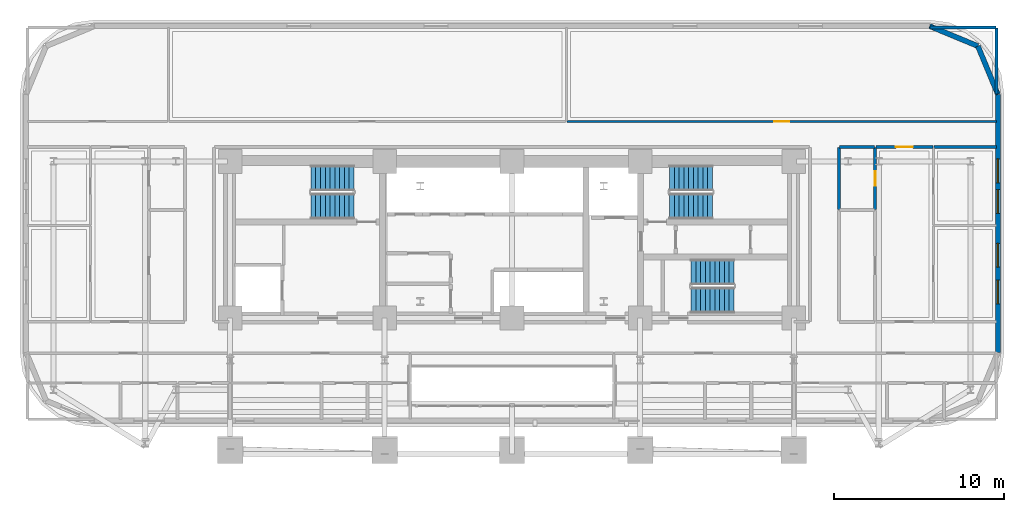
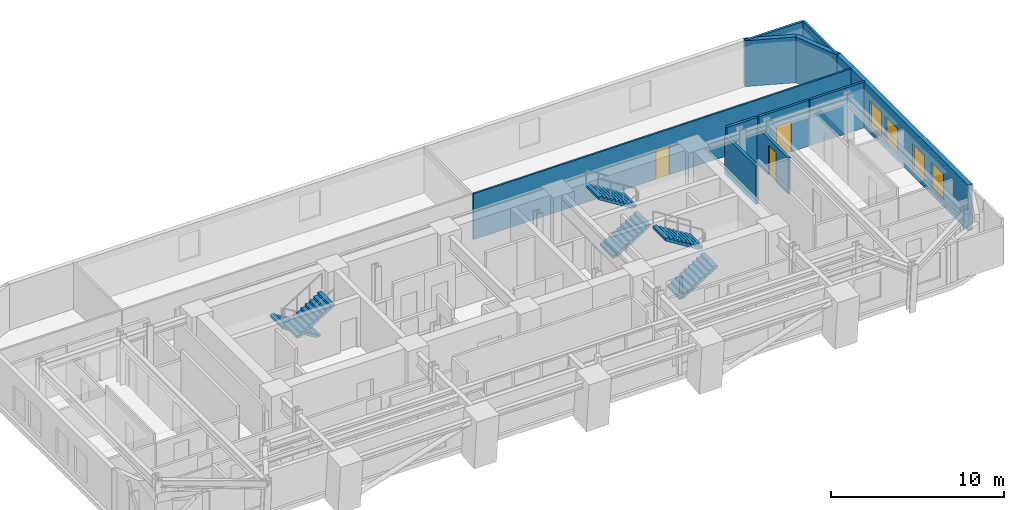
# One storey, part 11 of 15: 11 walls, 6 stair flights, 4 windows, 3 doors, 7 openings, 3 elements without a shape of their own.
"""IFC4 building model written with IfcOpenShell, lengths in metres."""

from ifc_helpers import new_model, si_unit, direction, frame, frame_2d, origin, place, context, subcontext, project, spatial, polyline, rectangle, outline, extrude, material, layer, layer_set, type_object, element, fill, aggregate, save


model = new_model("IFC4")

# Units and contexts
model_context = context("Model", 3, precision=1e-05, world=origin(), true_north=direction((0.0, 1.0)))
body_context = subcontext(model_context, "Body", "Model", "MODEL_VIEW")
ifc_project = project(units=[si_unit("LENGTHUNIT", "METRE"), si_unit("AREAUNIT", "SQUARE_METRE"), si_unit("VOLUMEUNIT", "CUBIC_METRE"), si_unit("PLANEANGLEUNIT", "RADIAN"), si_unit("MASSUNIT", "GRAM", prefix="KILO")], contexts=[model_context])

# Site, building, storey
site_placement = place(None, origin())
site = spatial("IfcSite", under=ifc_project, at=site_placement, CompositionType="ELEMENT")
building_placement = place(site_placement, origin())
building = spatial("IfcBuilding", under=site, at=building_placement, Name="Zarnavel Station Tower", CompositionType="ELEMENT")
storey_placement = place(building_placement, frame((0.0, 0.0, 67.5)))
storey = spatial("IfcBuildingStorey", under=building, at=storey_placement, Name="L18", CompositionType="ELEMENT", Elevation=67.5)

# Wall, openings, windows
ifc_material_1 = material(Name="Precast concrete C45/55 (Dark Basalt Finish)", Category="masonry")
ifc_layer_1 = layer(ifc_material_1, 0.300048828125)
ifc_layer_set_1 = layer_set([ifc_layer_1], Name="EW_BASALT_300")
wall_type_1 = type_object("IfcWallType", Name="EW_BASALT_300", PredefinedType="SOLIDWALL", material=ifc_layer_set_1)
wall_1_placement = place(storey_placement, frame((57.419921875, 41.0, 0.0), z_axis=(0.0, 0.0, 1.0), x_axis=(0.0, -1.0, 0.0)))
wall_1 = element("IfcWall", 1, at=wall_1_placement, inside=storey, type_object=wall_type_1, Name="L18 Exterior Basalt Masonry Frame Wall 03", PredefinedType="SOLIDWALL", context=body_context, shape_type="SweptSolid", body=[
    extrude(rectangle(XDim=15.199951171875, YDim=0.300048828125, at=frame_2d((7.60009765625, 0.0))), origin(), (0.0, 0.0, 1.0), 3.239990234375),
])
opening_1_placement = place(wall_1_placement, frame((8.78076171875, 0.0, 0.47998046875)))
opening_1 = element("IfcOpeningElement", 2, at=opening_1_placement, cuts=wall_1, Name="Opening WN01", PredefinedType="OPENING", context=body_context, shape_type="SweptSolid", body=[
    extrude(rectangle(XDim=1.39990234375, YDim=1.800048828125, at=frame_2d((0.699951171875, 0.89990234375))), frame((0.0, 0.159912109375, 0.0), z_axis=(0.0, -1.0, 0.0), x_axis=(1.0, 0.0, 0.0)), (0.0, 0.0, 1.0), 0.320068359375),
])
opening_2_placement = place(wall_1_placement, frame((10.940185546875, 0.0, 0.47998046875)))
opening_2 = element("IfcOpeningElement", 3, at=opening_2_placement, cuts=wall_1, Name="Opening WN01", PredefinedType="OPENING", context=body_context, shape_type="SweptSolid", body=[
    extrude(rectangle(XDim=1.39990234375, YDim=1.800048828125, at=frame_2d((0.699951171875, 0.89990234375))), frame((0.0, 0.159912109375, 0.0), z_axis=(0.0, -1.0, 0.0), x_axis=(1.0, 0.0, 0.0)), (0.0, 0.0, 1.0), 0.320068359375),
])
opening_3_placement = place(wall_1_placement, frame((3.806884765625, 0.0, 0.47998046875)))
opening_3 = element("IfcOpeningElement", 4, at=opening_3_placement, cuts=wall_1, Name="Opening WN01", PredefinedType="OPENING", context=body_context, shape_type="SweptSolid", body=[
    extrude(rectangle(XDim=1.39990234375, YDim=1.800048828125, at=frame_2d((0.699951171875, 0.89990234375))), frame((0.0, 0.159912109375, 0.0), z_axis=(0.0, -1.0, 0.0), x_axis=(1.0, 0.0, 0.0)), (0.0, 0.0, 1.0), 0.320068359375),
])
opening_4_placement = place(wall_1_placement, frame((5.614013671875, 0.0, 0.47998046875)))
opening_4 = element("IfcOpeningElement", 5, at=opening_4_placement, cuts=wall_1, Name="Opening WN01", PredefinedType="OPENING", context=body_context, shape_type="SweptSolid", body=[
    extrude(rectangle(XDim=1.39990234375, YDim=1.800048828125, at=frame_2d((0.699951171875, 0.89990234375))), frame((0.0, 0.159912109375, 0.0), z_axis=(0.0, -1.0, 0.0), x_axis=(1.0, 0.0, 0.0)), (0.0, 0.0, 1.0), 0.320068359375),
])
ifc_material_2 = material(Name="Thermally Broken Black Aluminium and Low-E Dark Glass", Category="aluminium")
window_type = type_object("IfcWindowType", Name="WN_1400x1800", PartitioningType="DOUBLE_PANEL_VERTICAL", PredefinedType="WINDOW", material=ifc_material_2)
window_1_placement = place(opening_1_placement, origin())
window_1 = element("IfcWindow", 6, at=window_1_placement, inside=storey, type_object=window_type, Name="L18 Recessed Facade Window 01", OverallHeight=1.800048828125, OverallWidth=1.39990234375, PartitioningType="SINGLE_PANEL", PredefinedType="WINDOW", context=body_context, shape_type="SweptSolid", body=[
    extrude(rectangle(XDim=1.39990234375, YDim=1.800048828125, at=frame_2d((0.699951171875, 0.89990234375))), frame((0.0, 0.030029296875, 0.0), z_axis=(0.0, -1.0, 0.0), x_axis=(1.0, 0.0, 0.0)), (0.0, 0.0, 1.0), 0.06005859375),
])
fill(opening_1, window_1)
window_2_placement = place(opening_2_placement, origin())
window_2 = element("IfcWindow", 7, at=window_2_placement, inside=storey, type_object=window_type, Name="L18 Recessed Facade Window 02", OverallHeight=1.800048828125, OverallWidth=1.39990234375, PartitioningType="SINGLE_PANEL", PredefinedType="WINDOW", context=body_context, shape_type="SweptSolid", body=[
    extrude(rectangle(XDim=1.39990234375, YDim=1.800048828125, at=frame_2d((0.699951171875, 0.89990234375))), frame((0.0, 0.030029296875, 0.0), z_axis=(0.0, -1.0, 0.0), x_axis=(1.0, 0.0, 0.0)), (0.0, 0.0, 1.0), 0.06005859375),
])
fill(opening_2, window_2)
window_3_placement = place(opening_3_placement, origin())
window_3 = element("IfcWindow", 8, at=window_3_placement, inside=storey, type_object=window_type, Name="L18 Recessed Facade Window 03", OverallHeight=1.800048828125, OverallWidth=1.39990234375, PartitioningType="SINGLE_PANEL", PredefinedType="WINDOW", context=body_context, shape_type="SweptSolid", body=[
    extrude(rectangle(XDim=1.39990234375, YDim=1.800048828125, at=frame_2d((0.699951171875, 0.89990234375))), frame((0.0, 0.030029296875, 0.0), z_axis=(0.0, -1.0, 0.0), x_axis=(1.0, 0.0, 0.0)), (0.0, 0.0, 1.0), 0.06005859375),
])
fill(opening_3, window_3)
window_4_placement = place(opening_4_placement, origin())
window_4 = element("IfcWindow", 9, at=window_4_placement, inside=storey, type_object=window_type, Name="L18 Recessed Facade Window 04", OverallHeight=1.800048828125, OverallWidth=1.39990234375, PartitioningType="SINGLE_PANEL", PredefinedType="WINDOW", context=body_context, shape_type="SweptSolid", body=[
    extrude(rectangle(XDim=1.39990234375, YDim=1.800048828125, at=frame_2d((0.699951171875, 0.89990234375))), frame((0.0, 0.030029296875, 0.0), z_axis=(0.0, -1.0, 0.0), x_axis=(1.0, 0.0, 0.0)), (0.0, 0.0, 1.0), 0.06005859375),
])
fill(opening_4, window_4)

# Walls
wall_2_placement = place(storey_placement, frame((56.24267578125, 43.842529296875, 0.0), z_axis=(0.0, 0.0, 1.0), x_axis=(0.382636798336, -0.92389884758, 0.0)))
element("IfcWall", 10, at=wall_2_placement, inside=storey, type_object=wall_type_1, Name="L18 Exterior Basalt Masonry Frame Wall 04", PredefinedType="SOLIDWALL", context=body_context, shape_type="SweptSolid", body=[
    extrude(rectangle(XDim=3.07666015625, YDim=0.300048828125, at=frame_2d((1.538330078125, 0.0))), origin(), (0.0, 0.0, 1.0), 3.239990234375),
])
wall_3_placement = place(storey_placement, frame((53.39990234375, 45.02001953125, 0.0), z_axis=(0.0, 0.0, 1.0), x_axis=(0.923882414032, -0.382676475685, 0.0)))
element("IfcWall", 11, at=wall_3_placement, inside=storey, type_object=wall_type_1, Name="L18 Exterior Basalt Masonry Frame Wall 05", PredefinedType="SOLIDWALL", context=body_context, shape_type="SweptSolid", body=[
    extrude(rectangle(XDim=3.076904296875, YDim=0.300048828125, at=frame_2d((1.53857421875, 0.0))), origin(), (0.0, 0.0, 1.0), 3.239990234375),
])

# Wall, opening, door
ifc_material_3 = material(Name="Gypsum Twin-Stud Acoustic Fire Partition", Category="concrete")
ifc_layer_2 = layer(ifc_material_3, 0.159912109375)
ifc_layer_set_2 = layer_set([ifc_layer_2], Name="PT_DEMISE_160")
wall_type_2 = type_object("IfcWallType", Name="PT_DEMISE_160", PredefinedType="PARTITIONING", material=ifc_layer_set_2)
wall_4_placement = place(storey_placement, frame((50.22705078125, 37.89990234375, 0.0), z_axis=(0.0, 0.0, 1.0), x_axis=(1.0, 0.0, 0.0)))
wall_4 = element("IfcWall", 12, at=wall_4_placement, inside=storey, type_object=wall_type_2, Name="L18 Partition COR-N-FNELV", PredefinedType="PARTITIONING", context=body_context, shape_type="SweptSolid", body=[
    extrude(rectangle(XDim=3.35693359375, YDim=0.159912109375, at=frame_2d((1.678466796875, 0.0))), origin(), (0.0, 0.0, 1.0), 3.239990234375),
])
opening_5_placement = place(wall_4_placement, frame((1.178466796875, 0.0, 0.0)))
opening_5 = element("IfcOpeningElement", 13, at=opening_5_placement, cuts=wall_4, Name="Opening FD02", PredefinedType="OPENING", context=body_context, shape_type="SweptSolid", body=[
    extrude(rectangle(XDim=1.0, YDim=2.14990234375, at=frame_2d((0.5, 1.074951171875))), frame((0.0, 0.08984375, 0.0), z_axis=(0.0, -1.0, 0.0), x_axis=(1.0, 0.0, 0.0)), (0.0, 0.0, 1.0), 0.179931640625),
])
ifc_material_4 = material(Name="Painted Galvanised Steel and Hardwood Leaf", Category="steel")
door_type_1 = type_object("IfcDoorType", Name="ID_ENTRY_1000", OperationType="NOTDEFINED", PredefinedType="DOOR", material=ifc_material_4)
door_1_placement = place(opening_5_placement, origin())
door_1 = element("IfcDoor", 14, at=door_1_placement, inside=storey, type_object=door_type_1, Name="L18 Door COR-N-FNELV", OperationType="SINGLE_SWING_LEFT", OverallHeight=2.14990234375, OverallWidth=1.0, PredefinedType="DOOR", context=body_context, shape_type="SweptSolid", body=[
    extrude(rectangle(XDim=1.0, YDim=2.14990234375, at=frame_2d((0.5, 1.074951171875))), frame((0.0, 0.02490234375, 0.0), z_axis=(0.0, -1.0, 0.0), x_axis=(1.0, 0.0, 0.0)), (0.0, 0.0, 1.0), 0.050048828125),
])
fill(opening_5, door_1)

# Walls
wall_5_placement = place(storey_placement, frame((53.6640625, 37.89990234375, 0.0), z_axis=(0.0, 0.0, 1.0), x_axis=(1.0, 0.0, 0.0)))
element("IfcWall", 15, at=wall_5_placement, inside=storey, type_object=wall_type_2, Name="L18 Partition COR-N-FNEB2", PredefinedType="PARTITIONING", context=body_context, shape_type="SweptSolid", body=[
    extrude(rectangle(XDim=3.676025390625, YDim=0.159912109375, at=frame_2d((1.837890625, 0.0))), origin(), (0.0, 0.0, 1.0), 3.239990234375),
])
wall_6_placement = place(storey_placement, frame((53.429931640625, 44.93994140625, 0.0), z_axis=(0.0, 0.0, 1.0), x_axis=(1.0, 0.0, 0.0)))
element("IfcWall", 16, at=wall_6_placement, inside=storey, type_object=wall_type_2, Name="L18 Enclosure Wall NL5B", PredefinedType="PARTITIONING", context=body_context, shape_type="SweptSolid", body=[
    extrude(rectangle(XDim=3.880126953125, YDim=0.159912109375, at=frame_2d((1.93994140625, 0.0))), origin(), (0.0, 0.0, 1.0), 3.239990234375),
])
wall_7_placement = place(storey_placement, frame((57.340087890625, 41.030029296875, 0.0), z_axis=(0.0, 0.0, 1.0), x_axis=(0.0, 1.0, 0.0)))
element("IfcWall", 17, at=wall_7_placement, inside=storey, type_object=wall_type_2, Name="L18 Enclosure Wall NL5B", PredefinedType="PARTITIONING", context=body_context, shape_type="SweptSolid", body=[
    extrude(rectangle(XDim=3.8798828125, YDim=0.159912109375, at=frame_2d((1.93994140625, 0.0))), origin(), (0.0, 0.0, 1.0), 3.239990234375),
])

# Wall, opening, door
ifc_material_5 = material(Name="Gypsum Metal-Stud Interior Partition", Category="concrete")
ifc_layer_3 = layer(ifc_material_5, 0.1201171875)
ifc_layer_set_3 = layer_set([ifc_layer_3], Name="PT_ROOM_120")
wall_type_3 = type_object("IfcWallType", Name="PT_ROOM_120", PredefinedType="PARTITIONING", material=ifc_layer_set_3)
wall_8_placement = place(storey_placement, frame((32.0400390625, 39.39990234375, 0.0), z_axis=(0.0, 0.0, 1.0), x_axis=(1.0, 0.0, 0.0)))
wall_8 = element("IfcWall", 18, at=wall_8_placement, inside=storey, type_object=wall_type_3, Name="L18 Partition COR-N-NL5B", PredefinedType="PARTITIONING", context=body_context, shape_type="SweptSolid", body=[
    extrude(rectangle(XDim=25.300048828125, YDim=0.1201171875, at=frame_2d((12.64990234375, 0.0))), origin(), (0.0, 0.0, 1.0), 3.239990234375),
])
opening_6_placement = place(wall_8_placement, frame((12.199951171875, 0.0, 0.0)))
opening_6 = element("IfcOpeningElement", 19, at=opening_6_placement, cuts=wall_8, Name="Opening ID01", PredefinedType="OPENING", context=body_context, shape_type="SweptSolid", body=[
    extrude(rectangle(XDim=0.89990234375, YDim=2.10009765625, at=frame_2d((0.449951171875, 1.050048828125))), frame((0.0, 0.070068359375, 0.0), z_axis=(0.0, -1.0, 0.0), x_axis=(1.0, 0.0, 0.0)), (0.0, 0.0, 1.0), 0.14013671875),
])
ifc_material_6 = material(Name="Painted Galvanised Steel and Hardwood Leaf", Category="steel")
door_type_2 = type_object("IfcDoorType", Name="ID_ROOM_900", OperationType="NOTDEFINED", PredefinedType="DOOR", material=ifc_material_6)
door_2_placement = place(opening_6_placement, origin())
door_2 = element("IfcDoor", 20, at=door_2_placement, inside=storey, type_object=door_type_2, Name="L18 Door COR-N-NL5B", OperationType="SINGLE_SWING_RIGHT", OverallHeight=2.10009765625, OverallWidth=0.89990234375, PredefinedType="DOOR", context=body_context, shape_type="SweptSolid", body=[
    extrude(rectangle(XDim=0.89990234375, YDim=2.10009765625, at=frame_2d((0.449951171875, 1.050048828125))), frame((0.0, 0.02490234375, 0.0), z_axis=(0.0, -1.0, 0.0), x_axis=(1.0, 0.0, 0.0)), (0.0, 0.0, 1.0), 0.050048828125),
])
fill(opening_6, door_2)

# Walls
ifc_material_7 = material(Name="Moisture-Resistant Plumbing Chase Wall", Category="concrete")
ifc_layer_4 = layer(ifc_material_7, 0.179931640625)
ifc_layer_set_4 = layer_set([ifc_layer_4], Name="PW_PLUMB_180")
wall_type_4 = type_object("IfcWallType", Name="PW_PLUMB_180", PredefinedType="PLUMBINGWALL", material=ifc_layer_set_4)
wall_9_placement = place(storey_placement, frame((48.050048828125, 34.23193359375, 0.0), z_axis=(0.0, 0.0, 1.0), x_axis=(0.0, 1.0, 0.0)))
element("IfcWall", 21, at=wall_9_placement, inside=storey, type_object=wall_type_4, Name="L18 Partition COR-E-FNEBA", PredefinedType="PLUMBINGWALL", context=body_context, shape_type="SweptSolid", body=[
    extrude(rectangle(XDim=3.628173828125, YDim=0.179931640625, at=frame_2d((1.81396484375, 0.0))), origin(), (0.0, 0.0, 1.0), 2.719970703125),
])
wall_10_placement = place(storey_placement, frame((48.090087890625, 37.89990234375, 0.0), z_axis=(0.0, 0.0, 1.0), x_axis=(1.0, 0.0, 0.0)))
element("IfcWall", 22, at=wall_10_placement, inside=storey, type_object=wall_type_4, Name="L18 Partition COR-N-FNEBA", PredefinedType="PLUMBINGWALL", context=body_context, shape_type="SweptSolid", body=[
    extrude(rectangle(XDim=2.056884765625, YDim=0.179931640625, at=frame_2d((1.0283203125, 0.0))), origin(), (0.0, 0.0, 1.0), 3.239990234375),
])

# Wall, opening, door
wall_11_placement = place(storey_placement, frame((50.18701171875, 34.23193359375, 0.0), z_axis=(0.0, 0.0, 1.0), x_axis=(0.0, 1.0, 0.0)))
wall_11 = element("IfcWall", 23, at=wall_11_placement, inside=storey, type_object=wall_type_4, Name="L18 Partition FNELV-FNEBA", PredefinedType="PLUMBINGWALL", context=body_context, shape_type="SweptSolid", body=[
    extrude(rectangle(XDim=3.628173828125, YDim=0.179931640625, at=frame_2d((1.81396484375, 0.0))), origin(), (0.0, 0.0, 1.0), 2.570068359375),
])
opening_7_placement = place(wall_11_placement, frame((1.388916015625, 0.0, 0.0)))
opening_7 = element("IfcOpeningElement", 24, at=opening_7_placement, cuts=wall_11, Name="Opening ID02", PredefinedType="OPENING", context=body_context, shape_type="SweptSolid", body=[
    extrude(rectangle(XDim=0.85009765625, YDim=2.10009765625, at=frame_2d((0.425048828125, 1.050048828125))), frame((0.0, 0.099853515625, 0.0), z_axis=(0.0, -1.0, 0.0), x_axis=(1.0, 0.0, 0.0)), (0.0, 0.0, 1.0), 0.199951171875),
])
ifc_material_8 = material(Name="Painted Galvanised Steel and Hardwood Leaf", Category="steel")
door_type_3 = type_object("IfcDoorType", Name="ID_BATH_850", OperationType="NOTDEFINED", PredefinedType="DOOR", material=ifc_material_8)
door_3_placement = place(opening_7_placement, origin())
door_3 = element("IfcDoor", 25, at=door_3_placement, inside=storey, type_object=door_type_3, Name="L18 Door FNELV-FNEBA", OperationType="SINGLE_SWING_RIGHT", OverallHeight=2.10009765625, OverallWidth=0.85009765625, PredefinedType="DOOR", context=body_context, shape_type="SweptSolid", body=[
    extrude(rectangle(XDim=0.85009765625, YDim=2.10009765625, at=frame_2d((0.425048828125, 1.050048828125))), frame((0.0, 0.02490234375, 0.0), z_axis=(0.0, -1.0, 0.0), x_axis=(1.0, 0.0, 0.0)), (0.0, 0.0, 1.0), 0.050048828125),
])
fill(opening_7, door_3)

# Stair, stair flights
ifc_material_9 = material(Name="Concrete C45/55", Category="concrete")
stair_type = type_object("IfcStairType", Name="ST_CORE_150", PredefinedType="HALF_TURN_STAIR", material=ifc_material_9)
stair_1_placement = place(storey_placement, origin())
stair_1 = element("IfcStair", 26, at=stair_1_placement, inside=storey, type_object=stair_type, Name="L18 Core Exit Stair ST1", PredefinedType="HALF_TURN_STAIR")
ifc_material_10 = material(Name="Concrete C45/55", Category="concrete")
ifc_layer_5 = layer(ifc_material_10, 0.179931640625)
ifc_layer_set_5 = layer_set([ifc_layer_5], Name="ST_CORE_150_FLT")
stair_flight_type = type_object("IfcStairFlightType", Name="ST_CORE_150_FLT", PredefinedType="STRAIGHT", material=ifc_layer_set_5)
stair_flight_1_placement = place(storey_placement, frame((19.47998046875, 36.070068359375, 0.0), z_axis=(0.0, 0.0, 1.0), x_axis=(-1.0, 0.0, 0.0)))
stair_flight_1 = element("IfcStairFlight", 27, at=stair_flight_1_placement, type_object=stair_flight_type, Name="ST1 flight 1", NumberOfRisers=10, NumberOfTreads=9, PredefinedType="STRAIGHT", RiserHeight=0.175, TreadLength=0.28, context=body_context, shape_type="SweptSolid", body=[
    extrude(outline(polyline([(0.0, 0.0), (0.0, 0.175048828125), (0.280029296875, 0.175048828125), (0.280029296875, 0.35009765625), (0.56005859375, 0.35009765625), (0.56005859375, 0.52490234375), (0.840087890625, 0.52490234375), (0.840087890625, 0.699951171875), (1.1201171875, 0.699951171875), (1.1201171875, 0.875), (1.39990234375, 0.875), (1.39990234375, 1.050048828125), (1.679931640625, 1.050048828125), (1.679931640625, 1.22509765625), (1.9599609375, 1.22509765625), (1.9599609375, 1.39990234375), (2.239990234375, 1.39990234375), (2.239990234375, 1.574951171875), (2.52001953125, 1.574951171875), (2.52001953125, 1.75), (2.52001953125, 1.398193359375), (0.28271484375, 0.0), (0.0, 0.0)])), frame((0.0, 0.75, 0.0), z_axis=(0.0, -1.0, 0.0), x_axis=(1.0, 0.0, 0.0)), (0.0, 0.0, 1.0), 1.5),
])
stair_flight_2_placement = place(storey_placement, frame((16.9599609375, 34.409912109375, 1.75), z_axis=(0.0, 0.0, 1.0), x_axis=(1.0, 0.0, 0.0)))
stair_flight_2 = element("IfcStairFlight", 28, at=stair_flight_2_placement, type_object=stair_flight_type, Name="ST1 flight 2", NumberOfRisers=10, NumberOfTreads=9, PredefinedType="STRAIGHT", RiserHeight=0.175, TreadLength=0.28, context=body_context, shape_type="SweptSolid", body=[
    extrude(outline(polyline([(0.0, 0.0), (0.0, 0.175048828125), (0.280029296875, 0.175048828125), (0.280029296875, 0.35009765625), (0.56005859375, 0.35009765625), (0.56005859375, 0.52490234375), (0.840087890625, 0.52490234375), (0.840087890625, 0.699951171875), (1.1201171875, 0.699951171875), (1.1201171875, 0.875), (1.39990234375, 0.875), (1.39990234375, 1.050048828125), (1.679931640625, 1.050048828125), (1.679931640625, 1.22509765625), (1.9599609375, 1.22509765625), (1.9599609375, 1.39990234375), (2.239990234375, 1.39990234375), (2.239990234375, 1.574951171875), (2.52001953125, 1.574951171875), (2.52001953125, 1.75), (2.52001953125, 1.398193359375), (0.28271484375, 0.0), (0.0, 0.0)])), frame((0.0, 0.75, 0.0), z_axis=(0.0, -1.0, 0.0), x_axis=(1.0, 0.0, 0.0)), (0.0, 0.0, 1.0), 1.5),
])
aggregate(stair_1, [stair_flight_1, stair_flight_2])

stair_2_placement = place(storey_placement, origin())
stair_2 = element("IfcStair", 29, at=stair_2_placement, inside=storey, type_object=stair_type, Name="L18 Core Exit Stair ST2", PredefinedType="HALF_TURN_STAIR")
stair_flight_3_placement = place(storey_placement, frame((38.080078125, 34.409912109375, 0.0), z_axis=(0.0, 0.0, 1.0), x_axis=(1.0, 0.0, 0.0)))
stair_flight_3 = element("IfcStairFlight", 30, at=stair_flight_3_placement, type_object=stair_flight_type, Name="ST2 flight 1", NumberOfRisers=10, NumberOfTreads=9, PredefinedType="STRAIGHT", RiserHeight=0.175, TreadLength=0.28, context=body_context, shape_type="SweptSolid", body=[
    extrude(outline(polyline([(0.0, 0.0), (0.0, 0.175048828125), (0.280029296875, 0.175048828125), (0.280029296875, 0.35009765625), (0.56005859375, 0.35009765625), (0.56005859375, 0.52490234375), (0.840087890625, 0.52490234375), (0.840087890625, 0.699951171875), (1.1201171875, 0.699951171875), (1.1201171875, 0.875), (1.39990234375, 0.875), (1.39990234375, 1.050048828125), (1.679931640625, 1.050048828125), (1.679931640625, 1.22509765625), (1.9599609375, 1.22509765625), (1.9599609375, 1.39990234375), (2.239990234375, 1.39990234375), (2.239990234375, 1.574951171875), (2.52001953125, 1.574951171875), (2.52001953125, 1.75), (2.52001953125, 1.398193359375), (0.28271484375, 0.0), (0.0, 0.0)])), frame((0.0, 0.75, 0.0), z_axis=(0.0, -1.0, 0.0), x_axis=(1.0, 0.0, 0.0)), (0.0, 0.0, 1.0), 1.5),
])
stair_flight_4_placement = place(storey_placement, frame((40.60009765625, 36.070068359375, 1.75), z_axis=(0.0, 0.0, 1.0), x_axis=(-1.0, 0.0, 0.0)))
stair_flight_4 = element("IfcStairFlight", 31, at=stair_flight_4_placement, type_object=stair_flight_type, Name="ST2 flight 2", NumberOfRisers=10, NumberOfTreads=9, PredefinedType="STRAIGHT", RiserHeight=0.175, TreadLength=0.28, context=body_context, shape_type="SweptSolid", body=[
    extrude(outline(polyline([(0.0, 0.0), (0.0, 0.175048828125), (0.280029296875, 0.175048828125), (0.280029296875, 0.35009765625), (0.56005859375, 0.35009765625), (0.56005859375, 0.52490234375), (0.840087890625, 0.52490234375), (0.840087890625, 0.699951171875), (1.1201171875, 0.699951171875), (1.1201171875, 0.875), (1.39990234375, 0.875), (1.39990234375, 1.050048828125), (1.679931640625, 1.050048828125), (1.679931640625, 1.22509765625), (1.9599609375, 1.22509765625), (1.9599609375, 1.39990234375), (2.239990234375, 1.39990234375), (2.239990234375, 1.574951171875), (2.52001953125, 1.574951171875), (2.52001953125, 1.75), (2.52001953125, 1.398193359375), (0.28271484375, 0.0), (0.0, 0.0)])), frame((0.0, 0.75, 0.0), z_axis=(0.0, -1.0, 0.0), x_axis=(1.0, 0.0, 0.0)), (0.0, 0.0, 1.0), 1.5),
])
aggregate(stair_2, [stair_flight_3, stair_flight_4])

stair_3_placement = place(storey_placement, origin())
stair_3 = element("IfcStair", 32, at=stair_3_placement, inside=storey, type_object=stair_type, Name="L18 Core Exit Stair ST3", PredefinedType="HALF_TURN_STAIR")
stair_flight_5_placement = place(storey_placement, frame((39.35009765625, 28.8701171875, 0.0), z_axis=(0.0, 0.0, 1.0), x_axis=(1.0, 0.0, 0.0)))
stair_flight_5 = element("IfcStairFlight", 33, at=stair_flight_5_placement, type_object=stair_flight_type, Name="ST3 flight 1", NumberOfRisers=10, NumberOfTreads=9, PredefinedType="STRAIGHT", RiserHeight=0.175, TreadLength=0.28, context=body_context, shape_type="SweptSolid", body=[
    extrude(outline(polyline([(0.0, 0.0), (0.0, 0.175048828125), (0.280029296875, 0.175048828125), (0.280029296875, 0.35009765625), (0.56005859375, 0.35009765625), (0.56005859375, 0.52490234375), (0.840087890625, 0.52490234375), (0.840087890625, 0.699951171875), (1.1201171875, 0.699951171875), (1.1201171875, 0.875), (1.39990234375, 0.875), (1.39990234375, 1.050048828125), (1.679931640625, 1.050048828125), (1.679931640625, 1.22509765625), (1.9599609375, 1.22509765625), (1.9599609375, 1.39990234375), (2.239990234375, 1.39990234375), (2.239990234375, 1.574951171875), (2.52001953125, 1.574951171875), (2.52001953125, 1.75), (2.52001953125, 1.398193359375), (0.28271484375, 0.0), (0.0, 0.0)])), frame((0.0, 0.75, 0.0), z_axis=(0.0, -1.0, 0.0), x_axis=(1.0, 0.0, 0.0)), (0.0, 0.0, 1.0), 1.5),
])
stair_flight_6_placement = place(storey_placement, frame((41.8701171875, 30.530029296875, 1.75), z_axis=(0.0, 0.0, 1.0), x_axis=(-1.0, 0.0, 0.0)))
stair_flight_6 = element("IfcStairFlight", 34, at=stair_flight_6_placement, type_object=stair_flight_type, Name="ST3 flight 2", NumberOfRisers=10, NumberOfTreads=9, PredefinedType="STRAIGHT", RiserHeight=0.175, TreadLength=0.28, context=body_context, shape_type="SweptSolid", body=[
    extrude(outline(polyline([(0.0, 0.0), (0.0, 0.175048828125), (0.280029296875, 0.175048828125), (0.280029296875, 0.35009765625), (0.56005859375, 0.35009765625), (0.56005859375, 0.52490234375), (0.840087890625, 0.52490234375), (0.840087890625, 0.699951171875), (1.1201171875, 0.699951171875), (1.1201171875, 0.875), (1.39990234375, 0.875), (1.39990234375, 1.050048828125), (1.679931640625, 1.050048828125), (1.679931640625, 1.22509765625), (1.9599609375, 1.22509765625), (1.9599609375, 1.39990234375), (2.239990234375, 1.39990234375), (2.239990234375, 1.574951171875), (2.52001953125, 1.574951171875), (2.52001953125, 1.75), (2.52001953125, 1.398193359375), (0.28271484375, 0.0), (0.0, 0.0)])), frame((0.0, 0.75, 0.0), z_axis=(0.0, -1.0, 0.0), x_axis=(1.0, 0.0, 0.0)), (0.0, 0.0, 1.0), 1.5),
])
aggregate(stair_3, [stair_flight_5, stair_flight_6])

save(model, "model.ifc")
